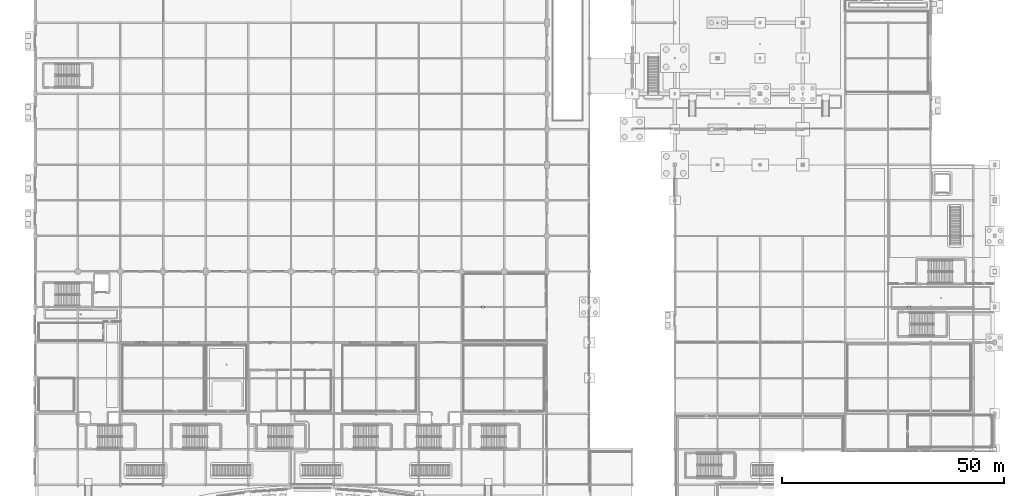
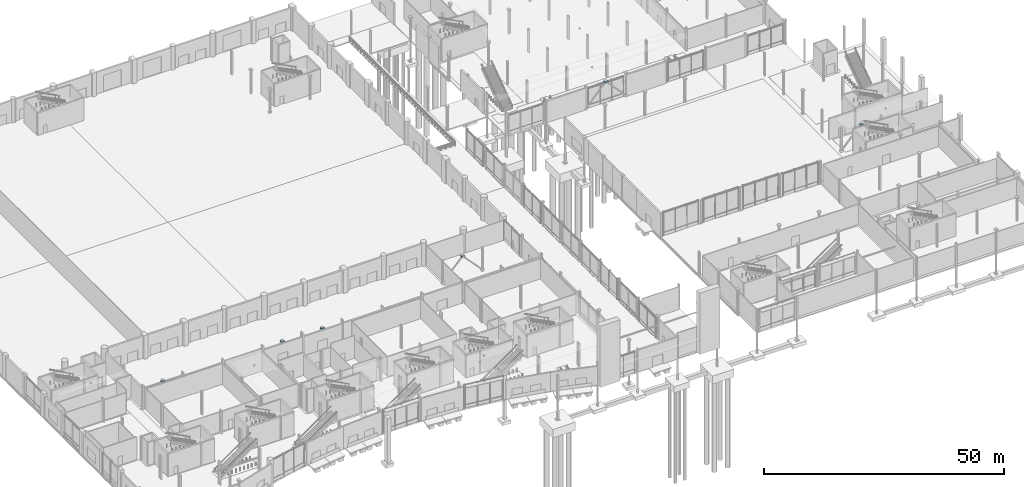
# One storey, part 71 of 124: 6 plates.
"""IFC4 building model written with IfcOpenShell, lengths in metres."""

from ifc_helpers import new_model, si_unit, direction, frame, origin, origin_2d, place, context, subcontext, project, spatial, rectangle, extrude, material, layer, layer_set, type_object, element, save


model = new_model("IFC4")

# Units and contexts
model_context = context("Model", 3, precision=1e-05, world=origin(), true_north=direction((0.0, 1.0)))
body_context = subcontext(model_context, "Body", "Model", "MODEL_VIEW")
ifc_project = project(units=[si_unit("LENGTHUNIT", "METRE"), si_unit("AREAUNIT", "SQUARE_METRE"), si_unit("VOLUMEUNIT", "CUBIC_METRE"), si_unit("PLANEANGLEUNIT", "RADIAN"), si_unit("MASSUNIT", "GRAM", prefix="KILO")], contexts=[model_context])

# Site, building, storey
site_placement = place(None, origin())
site = spatial("IfcSite", under=ifc_project, at=site_placement, CompositionType="ELEMENT")
building_placement = place(site_placement, origin())
building = spatial("IfcBuilding", under=site, at=building_placement, Name="Danafjord Basin Convention Centre", CompositionType="ELEMENT")
storey_placement = place(building_placement, origin())
storey = spatial("IfcBuildingStorey", under=building, at=storey_placement, Name="L00", CompositionType="ELEMENT", Elevation=0.0)

# Plates
ifc_material = material(Name="Steel S355", Category="steel")
ifc_layer = layer(ifc_material, 0.030029296875)
ifc_layer_set = layer_set([ifc_layer], Name="Steel S355")
plate_type = type_object("IfcPlateType", Name="PLT-TN-30", PredefinedType="SHEET", material=ifc_layer_set)
for number, where, z_axis, x_axis, name in (
    (1, (24.0, 40.0, 5.384765625), (0.0, 0.0, 1.0), (1.0, 0.0, 0.0), "L00 chevron apex gusset plate"),
    (2, (100.800048828125, 48.0, 5.384765625), (0.0, 0.0, 1.0), (1.0, 0.0, 0.0), "L00 chevron apex gusset plate"),
    (3, (52.800048828125, 40.0, 5.384765625), (0.0, 0.0, 1.0), (1.0, 0.0, 0.0), "L00 chevron apex gusset plate"),
    (4, (62.39990234375, 40.0, 5.384765625), (0.0, 0.0, 1.0), (1.0, 0.0, 0.0), "L00 chevron apex gusset plate"),
    (5, (158.39990234375, 88.0, 5.384765625), (0.0, 0.0, 1.0), (1.0, 0.0, 0.0), "L00 chevron apex gusset plate"),
    (6, (196.800048828125, 48.0, 5.384765625), (0.0, 0.0, 1.0), (1.0, 0.0, 0.0), "L00 chevron apex gusset plate"),
):
    element("IfcPlate", number, at=place(storey_placement, frame(where, z_axis=z_axis, x_axis=x_axis)), inside=storey, type_object=plate_type, Name=name, PredefinedType="SHEET", context=body_context, shape_type="SweptSolid", body=[
        extrude(rectangle(XDim=0.800048828125, YDim=0.5, at=origin_2d()), origin(), (0.0, 0.0, 1.0), 0.030029296875),
    ])

save(model, "model.ifc")
